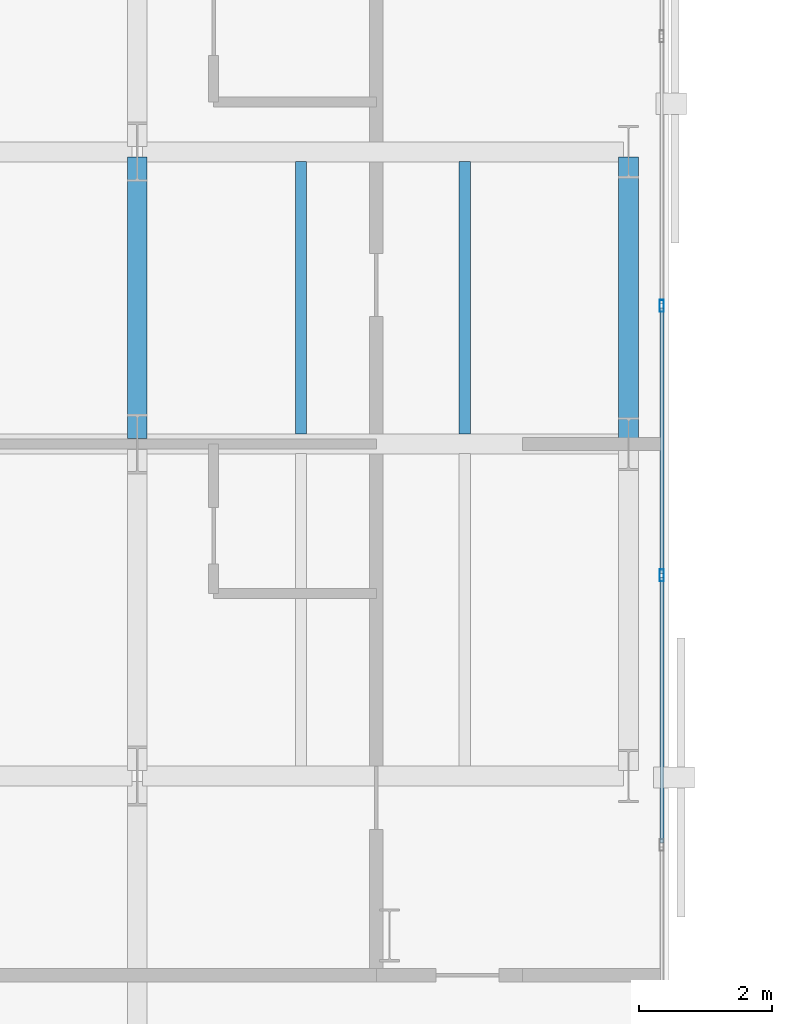
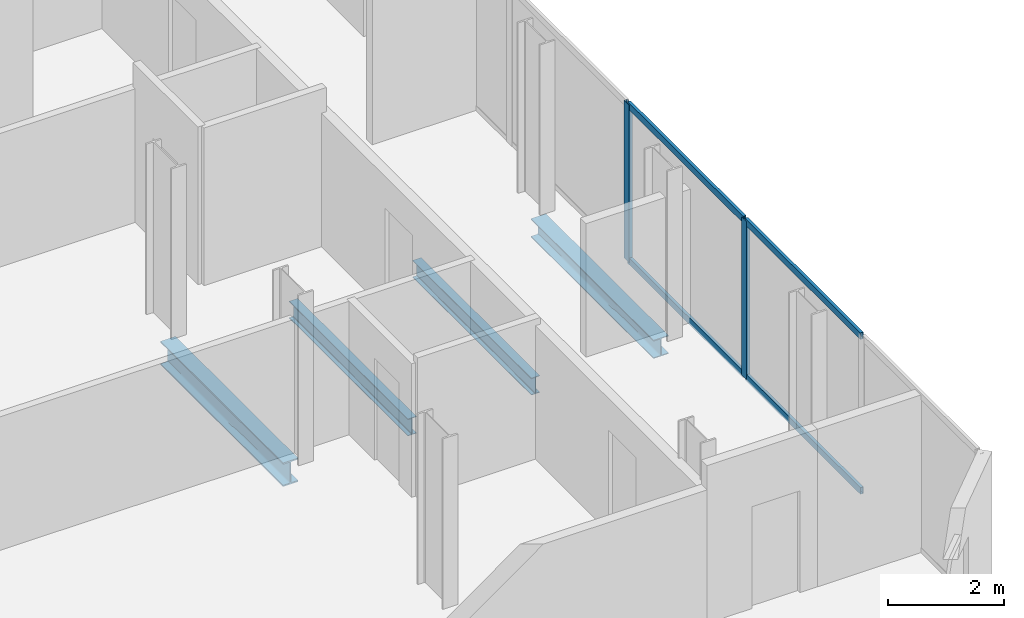
# One storey, part 8 of 33: 6 members, 4 beams, 1 element without a shape of its own.
"""IFC4 building model written with IfcOpenShell, lengths in metres."""

from ifc_helpers import new_model, si_unit, direction, frame, origin, origin_2d, place, context, subcontext, project, spatial, hollow_rectangle, i_section, extrude, material, layer, layer_set, material_profile, profile_set, type_object, element, aggregate, save


model = new_model("IFC4")

# Units and contexts
model_context = context("Model", 3, precision=1e-05, world=origin(), true_north=direction((0.0, 1.0)))
body_context = subcontext(model_context, "Body", "Model", "MODEL_VIEW")
ifc_project = project(units=[si_unit("LENGTHUNIT", "METRE"), si_unit("AREAUNIT", "SQUARE_METRE"), si_unit("VOLUMEUNIT", "CUBIC_METRE"), si_unit("PLANEANGLEUNIT", "RADIAN"), si_unit("MASSUNIT", "GRAM", prefix="KILO")], contexts=[model_context])

# Site, building, storey
site_placement = place(None, origin())
site = spatial("IfcSite", under=ifc_project, at=site_placement, CompositionType="ELEMENT")
building_placement = place(site_placement, origin())
building = spatial("IfcBuilding", under=site, at=building_placement, Name="Catumbela Crestline Tower", CompositionType="ELEMENT")
storey_placement = place(building_placement, frame((0.0, 0.0, 51.0)))
storey = spatial("IfcBuildingStorey", under=building, at=storey_placement, Name="L12", CompositionType="ELEMENT", Elevation=51.0)

# Beams
ifc_material_1 = material(Name="Structural steel S355J2", Category="steel")
ifc_material_profile_1 = material_profile(ifc_material_1, i_section(OverallWidth=0.3, OverallDepth=0.5, WebThickness=0.0145, FlangeThickness=0.028, FilletRadius=0.027, at=origin_2d()), Name="HEB 500")
ifc_profile_set_1 = profile_set([ifc_material_profile_1], Name="Structural steel S355J2")
beam_type_1 = type_object("IfcBeamType", Name="BG-HEB500", PredefinedType="BEAM", material=ifc_profile_set_1)
beam_1_placement = place(storey_placement, frame((16.0, 13.68, -0.51), z_axis=(0.0, 1.0, 0.0), x_axis=(-1.0, 0.0, 0.0)))
element("IfcBeam", 1, at=beam_1_placement, inside=storey, type_object=beam_type_1, Name="L12 Beam BM-L12-WNS66", PredefinedType="BEAM", context=body_context, shape_type="SweptSolid", body=[
    extrude(i_section(OverallWidth=0.3, OverallDepth=0.5, WebThickness=0.0145, FlangeThickness=0.028, FilletRadius=0.027, at=origin_2d()), origin(), (0.0, 0.0, 1.0), 4.24),
])
ifc_material_profile_2 = material_profile(ifc_material_1, i_section(OverallWidth=0.17, OverallDepth=0.36, WebThickness=0.008, FlangeThickness=0.0127, FilletRadius=0.018, at=origin_2d()), Name="IPE 360")
ifc_profile_set_2 = profile_set([ifc_material_profile_2], Name="Structural steel S355J2")
beam_type_2 = type_object("IfcBeamType", Name="BJ-IPE360", PredefinedType="JOIST", material=ifc_profile_set_2)
for number, where, z_axis, x_axis, name in (
    (2, (18.467, 13.747, -0.44), (0.0, 1.0, 0.0), (-1.0, 0.0, 0.0), "L12 Joist JS-L12-WG80"),
    (3, (20.933, 13.747, -0.44), (0.0, 1.0, 0.0), (-1.0, 0.0, 0.0), "L12 Joist JS-L12-WG81"),
):
    element("IfcBeam", number, at=place(storey_placement, frame(where, z_axis=z_axis, x_axis=x_axis)), inside=storey, type_object=beam_type_2, Name=name, PredefinedType="JOIST", context=body_context, shape_type="SweptSolid", body=[
        extrude(i_section(OverallWidth=0.17, OverallDepth=0.36, WebThickness=0.008, FlangeThickness=0.0127, FilletRadius=0.018, at=origin_2d()), origin(), (0.0, 0.0, 1.0), 4.106),
    ])

# Curtain wall, members
ifc_material_2 = material(Name="Aluminium alloy AW-6060-T66", Category="aluminium")
ifc_layer = layer(ifc_material_2, 0.18, Name="Aluminium alloy AW-6060-T66")
ifc_layer_set = layer_set([ifc_layer], Name="Aluminium alloy AW-6060-T66")
curtain_wall_type = type_object("IfcCurtainWallType", Name="CWU-Z1", PredefinedType="USERDEFINED", material=ifc_layer_set)
curtain_wall_placement = place(storey_placement, origin())
curtain_wall = element("IfcCurtainWall", 4, at=curtain_wall_placement, inside=storey, type_object=curtain_wall_type, Name="L12 Unitised Curtain Wall CW-L12-E2S1", ObjectType="UNITISED", PredefinedType="USERDEFINED")
ifc_material_profile_3 = material_profile(ifc_material_2, hollow_rectangle(XDim=0.065, YDim=0.18, WallThickness=0.004, at=origin_2d()), Name="ALU 180x65x4")
ifc_profile_set_3 = profile_set([ifc_material_profile_3], Name="Aluminium alloy AW-6060-T66")
member_type_1 = type_object("IfcMemberType", Name="MUL-180X65", PredefinedType="MULLION", material=ifc_profile_set_3)
member_1_placement = place(storey_placement, frame((23.9, 11.62, 0.0), z_axis=(0.0, 0.0, 1.0), x_axis=(-1.0, 0.0, 0.0)))
member_1 = element("IfcMember", 5, at=member_1_placement, type_object=member_type_1, Name="CWU-Z1 mullion 3", PredefinedType="MULLION", context=body_context, shape_type="SweptSolid", body=[
    extrude(hollow_rectangle(XDim=0.065, YDim=0.18, WallThickness=0.004, at=origin_2d()), origin(), (0.0, 0.0, 1.0), 3.33),
])
member_2_placement = place(storey_placement, frame((23.9, 15.68, 0.0), z_axis=(0.0, 0.0, 1.0), x_axis=(-1.0, 0.0, 0.0)))
member_2 = element("IfcMember", 6, at=member_2_placement, type_object=member_type_1, Name="CWU-Z1 mullion 4", PredefinedType="MULLION", context=body_context, shape_type="SweptSolid", body=[
    extrude(hollow_rectangle(XDim=0.065, YDim=0.18, WallThickness=0.004, at=origin_2d()), origin(), (0.0, 0.0, 1.0), 3.33),
])

# Beam
ifc_material_profile_4 = material_profile(ifc_material_1, i_section(OverallWidth=0.3, OverallDepth=0.39, WebThickness=0.011, FlangeThickness=0.019, FilletRadius=0.027, at=origin_2d()), Name="HEA 400")
ifc_profile_set_4 = profile_set([ifc_material_profile_4], Name="Structural steel S355J2")
beam_type_3 = type_object("IfcBeamType", Name="BS-HEA400", PredefinedType="SPANDREL", material=ifc_profile_set_4)
beam_2_placement = place(storey_placement, frame((23.4, 13.68, -0.455), z_axis=(0.0, 1.0, 0.0), x_axis=(-1.0, 0.0, 0.0)))
element("IfcBeam", 7, at=beam_2_placement, inside=storey, type_object=beam_type_3, Name="L12 Spandrel SP-L12-WNS69", PredefinedType="SPANDREL", context=body_context, shape_type="SweptSolid", body=[
    extrude(i_section(OverallWidth=0.3, OverallDepth=0.39, WebThickness=0.011, FlangeThickness=0.019, FilletRadius=0.027, at=origin_2d()), origin(), (0.0, 0.0, 1.0), 4.24),
])

# Member
ifc_material_profile_5 = material_profile(ifc_material_2, hollow_rectangle(XDim=0.06, YDim=0.14, WallThickness=0.004, at=origin_2d()), Name="ALU 140x60x4")
ifc_profile_set_5 = profile_set([ifc_material_profile_5], Name="Aluminium alloy AW-6060-T66")
member_type_2 = type_object("IfcMemberType", Name="TRN-140X60", PredefinedType="USERDEFINED", material=ifc_profile_set_5)
member_3_placement = place(storey_placement, frame((23.9, 7.5925, 0.03), z_axis=(0.0, 1.0, 0.0), x_axis=(-1.0, 0.0, 0.0)))
member_3 = element("IfcMember", 8, at=member_3_placement, type_object=member_type_2, Name="CWU-Z1 transom 2.1", ObjectType="TRANSOM", PredefinedType="USERDEFINED", context=body_context, shape_type="SweptSolid", body=[
    extrude(hollow_rectangle(XDim=0.06, YDim=0.14, WallThickness=0.004, at=origin_2d()), origin(), (0.0, 0.0, 1.0), 3.995),
])

member_4_placement = place(storey_placement, frame((23.9, 7.5925, 3.3), z_axis=(0.0, 1.0, 0.0), x_axis=(-1.0, 0.0, 0.0)))
member_4 = element("IfcMember", 9, at=member_4_placement, type_object=member_type_2, Name="CWU-Z1 transom 2.2", ObjectType="TRANSOM", PredefinedType="USERDEFINED", context=body_context, shape_type="SweptSolid", body=[
    extrude(hollow_rectangle(XDim=0.06, YDim=0.14, WallThickness=0.004, at=origin_2d()), origin(), (0.0, 0.0, 1.0), 3.995),
])

member_5_placement = place(storey_placement, frame((23.9, 11.6525, 0.03), z_axis=(0.0, 1.0, 0.0), x_axis=(-1.0, 0.0, 0.0)))
member_5 = element("IfcMember", 10, at=member_5_placement, type_object=member_type_2, Name="CWU-Z1 transom 3.1", ObjectType="TRANSOM", PredefinedType="USERDEFINED", context=body_context, shape_type="SweptSolid", body=[
    extrude(hollow_rectangle(XDim=0.06, YDim=0.14, WallThickness=0.004, at=origin_2d()), origin(), (0.0, 0.0, 1.0), 3.995),
])

member_6_placement = place(storey_placement, frame((23.9, 11.6525, 3.3), z_axis=(0.0, 1.0, 0.0), x_axis=(-1.0, 0.0, 0.0)))
member_6 = element("IfcMember", 11, at=member_6_placement, type_object=member_type_2, Name="CWU-Z1 transom 3.2", ObjectType="TRANSOM", PredefinedType="USERDEFINED", context=body_context, shape_type="SweptSolid", body=[
    extrude(hollow_rectangle(XDim=0.06, YDim=0.14, WallThickness=0.004, at=origin_2d()), origin(), (0.0, 0.0, 1.0), 3.995),
])

aggregate(curtain_wall, [member_1, member_2, member_3, member_4, member_5, member_6])

save(model, "model.ifc")
